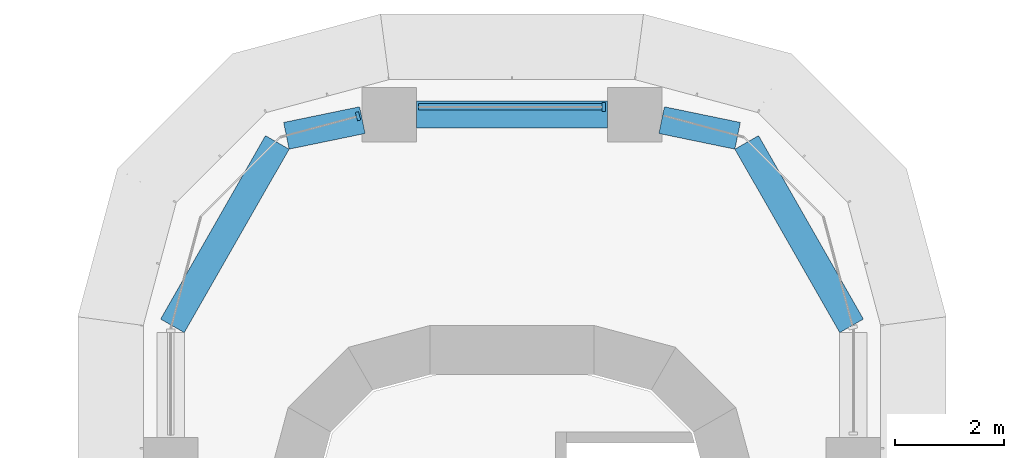
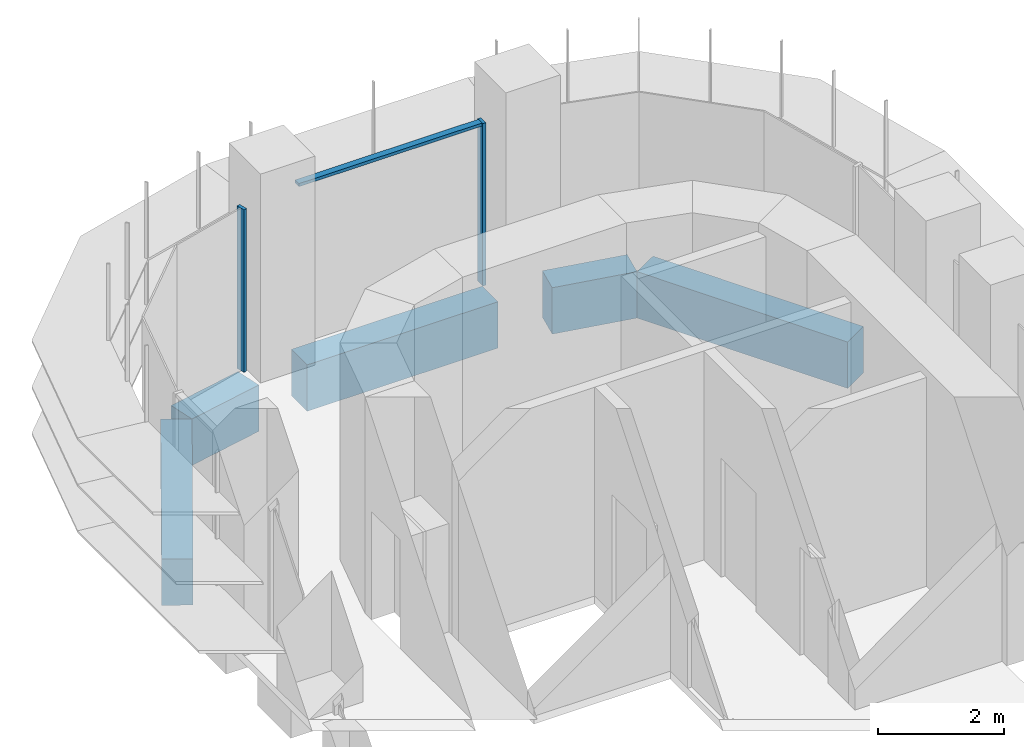
# One storey, part 12 of 23: 5 beams, 3 members, 2 elements without a shape of their own.
"""IFC4 building model written with IfcOpenShell, lengths in metres."""

from ifc_helpers import new_model, si_unit, direction, frame, origin, origin_2d, place, context, subcontext, project, spatial, polyline, rectangle, outline, extrude, source, transform, mapped, material, material_profile, profile_set, type_object, element, aggregate, save


model = new_model("IFC4")

# Units and contexts
model_context = context("Model", 3, precision=1e-05, world=origin(), true_north=direction((0.0, 1.0)))
body_context = subcontext(model_context, "Body", "Model", "MODEL_VIEW")
ifc_project = project(units=[si_unit("LENGTHUNIT", "METRE"), si_unit("AREAUNIT", "SQUARE_METRE"), si_unit("VOLUMEUNIT", "CUBIC_METRE"), si_unit("PLANEANGLEUNIT", "RADIAN"), si_unit("MASSUNIT", "GRAM", prefix="KILO")], contexts=[model_context])

# Site, building, storey
site_placement = place(None, origin())
site = spatial("IfcSite", under=ifc_project, at=site_placement, CompositionType="ELEMENT")
building_placement = place(site_placement, origin())
building = spatial("IfcBuilding", under=site, at=building_placement, Name="Zarbagh Exchange Tower", CompositionType="ELEMENT")
storey_placement = place(building_placement, frame((0.0, 0.0, 39.60009765625)))
storey = spatial("IfcBuildingStorey", under=building, at=storey_placement, Name="L08", CompositionType="ELEMENT", Elevation=39.60009765625)

# Beams
ifc_material_1 = material(Name="Concrete C60/75", Category="concrete")
ifc_material_profile = material_profile(ifc_material_1, rectangle(XDim=0.5, YDim=0.89990234375, at=origin_2d()), Name="RC spandrel beam 500 x 900 C60/75")
ifc_profile_set = profile_set([ifc_material_profile], Name="Concrete C60/75")
beam_type = type_object("IfcBeamType", Name="RC spandrel beam 500 x 900 C60/75", PredefinedType="SPANDREL", material=ifc_profile_set)
beam_1_placement = place(storey_placement, frame((-6.217041015625, 29.24169921875, -0.60009765625), z_axis=(0.496220481126, 0.868196541177, 0.0), x_axis=(-0.868196541177, 0.496220481126, 0.0)))
element("IfcBeam", 1, at=beam_1_placement, inside=storey, type_object=beam_type, Name="RC spandrel beam", PredefinedType="SPANDREL", context=body_context, shape_type="SweptSolid", body=[
    extrude(rectangle(XDim=0.5, YDim=0.89990234375, at=origin_2d()), origin(), (0.0, 0.0, 1.0), 3.869140625),
])
beam_2_placement = place(storey_placement, frame((-4.130615234375, 32.7216796875, -0.60009765625), z_axis=(0.979352054934, 0.202162193541, 0.0), x_axis=(-0.202162193541, 0.979352054934, 0.0)))
element("IfcBeam", 2, at=beam_2_placement, inside=storey, type_object=beam_type, Name="RC spandrel beam", PredefinedType="SPANDREL", context=body_context, shape_type="SweptSolid", body=[
    extrude(rectangle(XDim=0.5, YDim=0.89990234375, at=origin_2d()), origin(), (0.0, 0.0, 1.0), 1.420166015625),
])
beam_3_placement = place(storey_placement, frame((-1.75, 33.110107421875, -0.60009765625), z_axis=(1.0, 0.0, 0.0), x_axis=(0.0, 1.0, 0.0)))
element("IfcBeam", 3, at=beam_3_placement, inside=storey, type_object=beam_type, Name="RC spandrel beam", PredefinedType="SPANDREL", context=body_context, shape_type="SweptSolid", body=[
    extrude(rectangle(XDim=0.5, YDim=0.89990234375, at=origin_2d()), origin(), (0.0, 0.0, 1.0), 3.5),
])
beam_4_placement = place(storey_placement, frame((2.73974609375, 33.0087890625, -0.60009765625), z_axis=(0.979352054934, -0.202162193541, 0.0), x_axis=(0.202162193541, 0.979352054934, 0.0)))
element("IfcBeam", 4, at=beam_4_placement, inside=storey, type_object=beam_type, Name="RC spandrel beam", PredefinedType="SPANDREL", context=body_context, shape_type="SweptSolid", body=[
    extrude(rectangle(XDim=0.5, YDim=0.89990234375, at=origin_2d()), origin(), (0.0, 0.0, 1.0), 1.420166015625),
])
beam_5_placement = place(storey_placement, frame((4.297119140625, 32.600830078125, -0.60009765625), z_axis=(0.496220481126, -0.868196541177, 0.0), x_axis=(0.868196541177, 0.496220481126, 0.0)))
element("IfcBeam", 5, at=beam_5_placement, inside=storey, type_object=beam_type, Name="RC spandrel beam", PredefinedType="SPANDREL", context=body_context, shape_type="SweptSolid", body=[
    extrude(rectangle(XDim=0.5, YDim=0.89990234375, at=origin_2d()), origin(), (0.0, 0.0, 1.0), 3.869140625),
])

# Curtain wall, member
ifc_material_2 = material(Name="Anodised aluminium frame and glazing", Category="aluminium")
curtain_wall_type = type_object("IfcCurtainWallType", Name="CWA Ribbon glazing, lower zones", PredefinedType="NOTDEFINED", material=ifc_material_2)
curtain_wall_1_placement = place(storey_placement, origin())
curtain_wall_1 = element("IfcCurtainWall", 6, at=curtain_wall_1_placement, inside=storey, type_object=curtain_wall_type, Name="CWA24 curtain wall", PredefinedType="NOTDEFINED")
ifc_material_3 = material(Name="Anodised aluminium frame", Category="aluminium")
member_type_1 = type_object("IfcMemberType", Name="MUA Mullion, anodised aluminium frame", PredefinedType="MULLION", material=ifc_material_3)
shared_shape_1 = source(origin(), body_context, "Body", "SweptSolid", [
    extrude(outline(polyline([(0.0, -0.080078125), (0.06005859375, -0.080078125), (0.06005859375, 0.080078125), (0.0, 0.080078125), (0.0, -0.080078125)])), origin(), (0.0, 0.0, 1.0), 3.14990234375),
])
placement = place(storey_placement, origin())
member_1 = element("IfcMember", 7, at=placement, type_object=member_type_1, Name="CWA24 mullion 1.1", PredefinedType="MULLION", context=body_context, shape_type="MappedRepresentation", body=[
    mapped(shared_shape_1, transform((1.7099609375, 33.25, 0.0), x_axis=(-1.0, 0.0, 0.0), y_axis=(0.0, -1.0, 0.0), z_axis=(0.0, 0.0, 1.0))),
])

curtain_wall_2_placement = place(storey_placement, origin())
curtain_wall_2 = element("IfcCurtainWall", 8, at=curtain_wall_2_placement, inside=storey, type_object=curtain_wall_type, Name="CWA25 curtain wall", PredefinedType="NOTDEFINED")
member_2 = element("IfcMember", 9, at=placement, type_object=member_type_1, Name="CWA25 mullion 1.1", PredefinedType="MULLION", context=body_context, shape_type="MappedRepresentation", body=[
    mapped(shared_shape_1, transform((-2.7900390625, 33.087646484375, 0.0), x_axis=(-0.965924289636, -0.258824779902, 0.0), y_axis=(0.258824779902, -0.965924289636, 0.0), z_axis=(0.0, 0.0, 1.0))),
])
aggregate(curtain_wall_2, [member_2])

# Member
member_type_2 = type_object("IfcMemberType", Name="TRA Transom, anodised aluminium frame", PredefinedType="USERDEFINED", material=ifc_material_3)
shared_shape_2 = source(origin(), body_context, "Body", "SweptSolid", [
    extrude(outline(polyline([(-0.06005859375, -0.06005859375), (0.0, -0.06005859375), (0.0, 0.06005859375), (-0.06005859375, 0.06005859375), (-0.06005859375, -0.06005859375)])), origin(), (0.0, 0.0, 1.0), 3.360107421875),
])
member_3 = element("IfcMember", 10, at=placement, type_object=member_type_2, Name="CWA24 transom 1.1", ObjectType="TRANSOM", PredefinedType="USERDEFINED", context=body_context, shape_type="MappedRepresentation", body=[
    mapped(shared_shape_2, transform((1.64990234375, 33.25, 3.14990234375), x_axis=(0.0, 0.0, 1.0), y_axis=(0.0, 1.0, 0.0), z_axis=(-1.0, 0.0, 0.0))),
])

aggregate(curtain_wall_1, [member_1, member_3])

save(model, "model.ifc")
